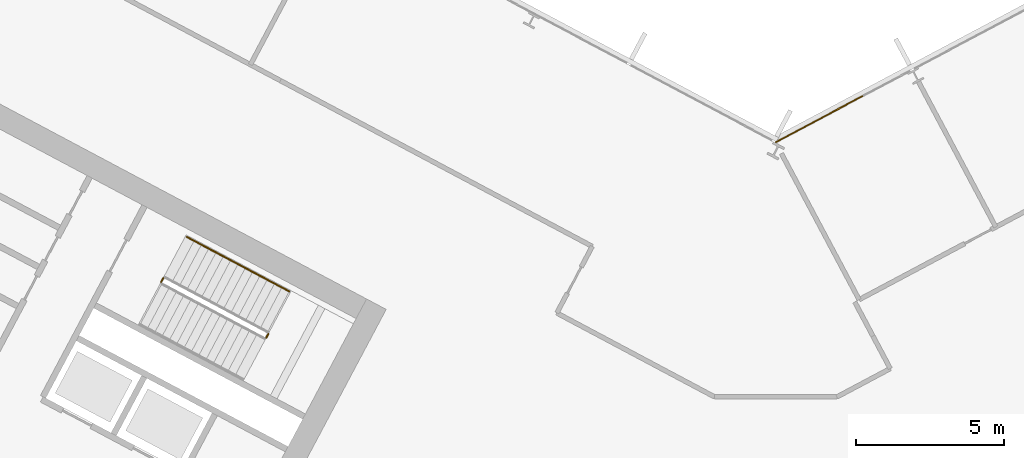
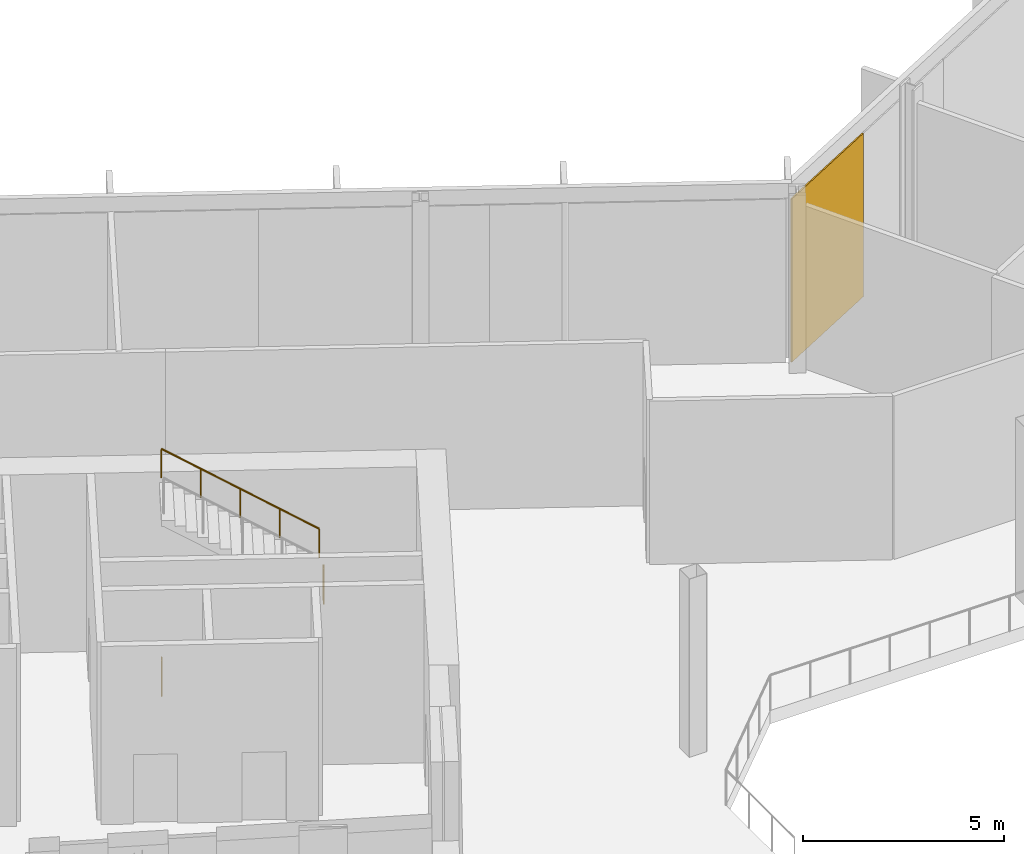
# One storey, part 25 of 31: 3 railings, 1 covering, 1 element without a shape of its own.
"""IFC4 building model written with IfcOpenShell, lengths in metres."""

import ifcopenshell
import ifcopenshell.guid

model = None  # the IFC model being written
_history = None  # IfcOwnerHistory: only IFC2X3 demands one
_inside = {}  # id of a spatial element -> (the spatial element, [elements in it])
_under = {}  # id of a project, library or spatial element -> (it, [spatial elements below it])
_declared = {}  # id of a project -> (the project, [libraries it declares])
_typed = {}  # id of a type object -> (the type object, [elements of that type])
_made_of = {}  # id of a material, layer set ... -> (it, [elements and type objects made of it])


def new_model(schema):
    """Start an empty IFC model of exactly this schema.

    Asked for "IFC4X3", IfcOpenShell would pick the latest addendum, in which some entities
    have other attributes; the version numbers below select the first issue.
    IFC2X3 requires an IfcOwnerHistory on every rooted entity: one is made here for all.
    """
    global model, _history
    if schema == "IFC4X3":
        model = ifcopenshell.file(schema_version=(4, 3, 0, 0))
    else:
        model = ifcopenshell.file(schema=schema)
    _inside.clear()
    _under.clear()
    _declared.clear()
    _typed.clear()
    _made_of.clear()
    _history = None
    if model.schema == "IFC2X3":
        org = make("IfcOrganization", Name="unknown")
        user = make(
            "IfcPersonAndOrganization",
            ThePerson=make("IfcPerson", FamilyName="unknown"),
            TheOrganization=org,
        )
        app = make(
            "IfcApplication",
            ApplicationDeveloper=org,
            Version="unknown",
            ApplicationFullName="unknown",
            ApplicationIdentifier="unknown",
        )
        _history = make(
            "IfcOwnerHistory",
            OwningUser=user,
            OwningApplication=app,
            ChangeAction="ADDED",
            CreationDate=0,
        )
    return model


def make(cls, **values):
    """One entity of the class cls with the attributes given. An attribute that is None is left unset."""
    return model.create_entity(
        cls, **{name: value for name, value in values.items() if value is not None}
    )


def rooted(cls, **values):
    """An entity with a GlobalId (a new one), such as an element, a storey or a relation."""
    return make(cls, GlobalId=ifcopenshell.guid.new(), OwnerHistory=_history, **values)


def si_unit(unit_type, name, prefix=None):
    """IfcSIUnit, for example si_unit("LENGTHUNIT", "METRE", prefix="MILLI")."""
    return make("IfcSIUnit", UnitType=unit_type, Prefix=prefix, Name=name)


def assignment(units):
    """IfcUnitAssignment: the units of a project."""
    return None if units is None else make("IfcUnitAssignment", Units=units)


def point(xyz):
    """IfcCartesianPoint."""
    return None if xyz is None else make("IfcCartesianPoint", Coordinates=xyz)


def direction(xyz):
    """IfcDirection."""
    return None if xyz is None else make("IfcDirection", DirectionRatios=xyz)


def frame(location, z_axis=None, x_axis=None):
    """IfcAxis2Placement3D, a coordinate frame: its origin and axes. An axis left out is left unset."""
    return make(
        "IfcAxis2Placement3D",
        Location=point(location),
        Axis=direction(z_axis),
        RefDirection=direction(x_axis),
    )


def frame_2d(location, x_axis=None):
    """IfcAxis2Placement2D, a coordinate frame in the plane: its origin and x axis."""
    return make(
        "IfcAxis2Placement2D", Location=point(location), RefDirection=direction(x_axis)
    )


def origin():
    """The frame at (0, 0, 0) with its axes left unset."""
    return frame((0.0, 0.0, 0.0))


def origin_2d():
    """The frame at (0, 0) in the plane with its x axis left unset."""
    return frame_2d((0.0, 0.0))


def place(relative_to, where):
    """IfcLocalPlacement: puts the frame where relative to a parent placement (None: the world)."""
    return make(
        "IfcLocalPlacement", PlacementRelTo=relative_to, RelativePlacement=where
    )


def context(
    kind, dimensions, precision=None, world=None, true_north=None, identifier=None
):
    """IfcGeometricRepresentationContext, for example the 3D "Model" context."""
    return make(
        "IfcGeometricRepresentationContext",
        ContextIdentifier=identifier,
        ContextType=kind,
        CoordinateSpaceDimension=dimensions,
        Precision=precision,
        WorldCoordinateSystem=world,
        TrueNorth=true_north,
    )


def subcontext(parent, identifier, kind, view, scale=None):
    """IfcGeometricRepresentationSubContext, for example "Body" below "Model"."""
    return make(
        "IfcGeometricRepresentationSubContext",
        ContextIdentifier=identifier,
        ContextType=kind,
        ParentContext=parent,
        TargetScale=scale,
        TargetView=view,
    )


def project(units=None, contexts=None):
    """IfcProject with its units and contexts."""
    return rooted(
        "IfcProject",
        Name="project",
        RepresentationContexts=contexts,
        UnitsInContext=assignment(units),
    )


def spatial(cls, under=None, at=None, **own):
    """A site, building, storey or space (cls), placed at a placement, below another one or the project."""
    s = rooted(cls, ObjectPlacement=at, **own)
    if under is not None:
        _under.setdefault(under.id(), (under, []))[1].append(s)
    return s


def polyline(points):
    """IfcPolyline through the points."""
    return make("IfcPolyline", Points=[point(p) for p in points])


def profile(cls, at=None, kind="AREA", **sizes):
    """A parametric profile (cls). Its sizes go by their IFC names, for example OverallWidth=200.0."""
    return make(cls, ProfileType=kind, Position=at, **sizes)


def rectangle(**sizes):
    """IfcRectangleProfileDef."""
    return profile("IfcRectangleProfileDef", **sizes)


def outline(outer, holes=None, kind="AREA"):
    """IfcArbitraryClosedProfileDef: a profile drawn as a closed curve; with holes, ...WithVoids."""
    if holes is None:
        return make("IfcArbitraryClosedProfileDef", ProfileType=kind, OuterCurve=outer)
    return make(
        "IfcArbitraryProfileDefWithVoids",
        ProfileType=kind,
        OuterCurve=outer,
        InnerCurves=holes,
    )


def extrude(swept, where, along, depth):
    """IfcExtrudedAreaSolid: the profile swept, set in the frame where, extruded along a direction by depth."""
    return make(
        "IfcExtrudedAreaSolid",
        SweptArea=swept,
        Position=where,
        ExtrudedDirection=direction(along),
        Depth=depth,
    )


def shape(context_of_items, identifier, shape_type, items):
    """IfcShapeRepresentation: the items that make up one representation, for example the "Body"."""
    return make(
        "IfcShapeRepresentation",
        ContextOfItems=context_of_items,
        RepresentationIdentifier=identifier,
        RepresentationType=shape_type,
        Items=items,
    )


def material(Name=None, Category=None):
    """IfcMaterial."""
    return make("IfcMaterial", Name=Name, Category=Category)


def layer(
    of_material, thickness, ventilated=None, Name=None, Category=None, Priority=None
):
    """IfcMaterialLayer: one layer of a wall or slab, of a material (None: an air gap)."""
    return make(
        "IfcMaterialLayer",
        Material=of_material,
        LayerThickness=thickness,
        IsVentilated=ventilated,
        Name=Name,
        Category=Category,
        Priority=Priority,
    )


def layer_set(layers, Name=None):
    """IfcMaterialLayerSet."""
    return make("IfcMaterialLayerSet", MaterialLayers=layers, LayerSetName=Name)


def made_of(thing, what):
    """Note that an element or type object is made of a material, layer set ...; save() writes the relation."""
    if what is not None:
        _made_of.setdefault(what.id(), (what, []))[1].append(thing)
    return thing


def type_object(cls, material=None, **own):
    """A type object (cls), such as IfcWallType, which elements share."""
    return made_of(rooted(cls, **own), material)


def element(
    cls,
    number,
    at=None,
    inside=None,
    cuts=None,
    type_object=None,
    material=None,
    context=None,
    identifier="Body",
    shape_type=None,
    held_by="IfcProductDefinitionShape",
    body=None,
    shapes=None,
    **own,
):
    """One element of the class cls, such as IfcWall. Its Tag is "e" and its number.

    at: its placement. inside: the storey or other place that contains it. cuts: it is an
    opening in that element (IfcRelVoidsElement). A single representation is given by context,
    identifier, shape_type and body (its items); several are given by shapes. held_by: the class
    of the entity that holds the representations. save() writes the other relations.
    """
    e = rooted(cls, Tag="e%d" % number, ObjectPlacement=at, **own)
    if body is not None:
        shapes = [shape(context, identifier, shape_type, body)]
    if shapes is not None:
        e.Representation = make(held_by, Representations=shapes)
    if inside is not None:
        _inside.setdefault(inside.id(), (inside, []))[1].append(e)
    if cuts is not None:
        rooted(
            "IfcRelVoidsElement", RelatingBuildingElement=cuts, RelatedOpeningElement=e
        )
    if type_object is not None:
        _typed.setdefault(type_object.id(), (type_object, []))[1].append(e)
    return made_of(e, material)


def aggregate(whole, parts):
    """IfcRelAggregates: a whole, such as a stair, and the parts it consists of."""
    return rooted("IfcRelAggregates", RelatingObject=whole, RelatedObjects=parts)


def save(model, path):
    """Write the relations noted so far, then the file.

    IfcRelAggregates (storeys below a building ...), IfcRelContainedInSpatialStructure (elements
    in a storey), IfcRelDefinesByType, IfcRelAssociatesMaterial and IfcRelDeclares: one each for
    every whole, place, type object, material and project.
    """
    for whole, parts in _under.values():
        aggregate(whole, parts)
    for where, things in _inside.values():
        rooted(
            "IfcRelContainedInSpatialStructure",
            RelatedElements=things,
            RelatingStructure=where,
        )
    for kind, things in _typed.values():
        rooted("IfcRelDefinesByType", RelatedObjects=things, RelatingType=kind)
    for what, things in _made_of.values():
        rooted("IfcRelAssociatesMaterial", RelatedObjects=things, RelatingMaterial=what)
    for by, libraries in _declared.values():
        rooted("IfcRelDeclares", RelatingContext=by, RelatedDefinitions=libraries)
    model.write(path)


model = new_model("IFC4")

# Units and contexts
model_context = context("Model", 3, precision=1e-05, world=origin(), true_north=direction((0.0, 1.0)))
body_context = subcontext(model_context, "Body", "Model", "MODEL_VIEW")
ifc_project = project(units=[si_unit("LENGTHUNIT", "METRE"), si_unit("AREAUNIT", "SQUARE_METRE"), si_unit("VOLUMEUNIT", "CUBIC_METRE"), si_unit("PLANEANGLEUNIT", "RADIAN"), si_unit("MASSUNIT", "GRAM", prefix="KILO")], contexts=[model_context])

# Site, building, storey
site_placement = place(None, origin())
site = spatial("IfcSite", under=ifc_project, at=site_placement, CompositionType="ELEMENT")
building_placement = place(site_placement, origin())
building = spatial("IfcBuilding", under=site, at=building_placement, Name="Cormorant Relay Tower", CompositionType="ELEMENT")
storey_placement = place(building_placement, frame((0.0, 0.0, 178.199951171875)))
storey = spatial("IfcBuildingStorey", under=building, at=storey_placement, Name="L38", CompositionType="ELEMENT", Elevation=178.199951171875)

# Curtain wall, covering
ifc_material_1 = material(Name="Aluminium 6063-T6 anodised bronze", Category="aluminium")
ifc_layer_1 = layer(ifc_material_1, 0.199951171875)
ifc_layer_set_1 = layer_set([ifc_layer_1], Name="CW1 unitised bronze curtain wall with vertical fins")
curtain_wall_type = type_object("IfcCurtainWallType", Name="CW1 unitised bronze curtain wall with vertical fins", PredefinedType="NOTDEFINED", material=ifc_layer_set_1)
curtain_wall_placement = place(storey_placement, origin())
curtain_wall = element("IfcCurtainWall", 1, at=curtain_wall_placement, inside=storey, type_object=curtain_wall_type, Name="CW1 curtain wall 8", PredefinedType="NOTDEFINED")
ifc_material_2 = material(Name="Pale bronze anodised aluminium insulated panel", Category="aluminium")
ifc_layer_2 = layer(ifc_material_2, 0.0400390625)
ifc_layer_set_2 = layer_set([ifc_layer_2], Name="CW1 pale bronze insulated panel 40")
covering_type = type_object("IfcCoveringType", Name="CW1 pale bronze insulated panel 40", PredefinedType="CLADDING", material=ifc_layer_set_2)
covering_placement = place(storey_placement, frame((1.471435546875, 24.589111328125, 0.0), z_axis=(0.0, 0.0, 1.0), x_axis=(-0.882947592859, -0.469471562786, 0.0)))
covering = element("IfcCovering", 2, at=covering_placement, type_object=covering_type, Name="CW1 panel S10", PredefinedType="CLADDING", context=body_context, shape_type="SweptSolid", body=[
    extrude(rectangle(XDim=3.354248046875, YDim=0.0400390625, at=origin_2d()), origin(), (0.0, 0.0, 1.0), 4.949951171875),
])
aggregate(curtain_wall, [covering])

# Railings
ifc_material_3 = material(Name="Steel ASTM A572 Grade 50 (Fy 345 MPa)", Category="steel")
railing_type_1 = type_object("IfcRailingType", Name="Stair guard 1100", PredefinedType="GUARDRAIL", material=ifc_material_3)
railing_1_placement = place(storey_placement, frame((-17.2216796875, 17.1982421875, 2.699951171875)))
element("IfcRailing", 3, at=railing_1_placement, inside=storey, type_object=railing_type_1, Name="L38 A1 stair guard 2", PredefinedType="GUARDRAIL", context=body_context, shape_type="SweptSolid", body=[
    extrude(outline(polyline([(0.022216796875, 0.00927734375), (0.00927734375, 0.022216796875), (-0.00927734375, 0.022216796875), (-0.022216796875, 0.00927734375), (-0.022216796875, -0.00927734375), (-0.00927734375, -0.022216796875), (0.00927734375, -0.022216796875), (0.022216796875, -0.00927734375), (0.022216796875, 0.00927734375)])), frame((0.0, 0.0, 1.076171875), z_axis=(0.469234640946, 0.883073525669, 0.0), x_axis=(-0.883073525669, 0.469234640946, 0.0)), (0.0, 0.0, 1.0), 0.14990234375),
    extrude(outline(polyline([(0.019287109375, 0.008056640625), (0.008056640625, 0.019287109375), (-0.008056640625, 0.019287109375), (-0.019287109375, 0.008056640625), (-0.019287109375, -0.008056640625), (-0.008056640625, -0.019287109375), (0.008056640625, -0.019287109375), (0.019287109375, -0.008056640625), (0.019287109375, 0.008056640625)])), origin(), (0.0, 0.0, 1.0), 1.052001953125),
    extrude(outline(polyline([(0.019287109375, 0.008056640625), (0.008056640625, 0.019287109375), (-0.008056640625, 0.019287109375), (-0.019287109375, 0.008056640625), (-0.019287109375, -0.008056640625), (-0.008056640625, -0.019287109375), (0.008056640625, -0.019287109375), (0.019287109375, -0.008056640625), (0.019287109375, 0.008056640625)])), frame((0.0703125, 0.13232421875, 0.0)), (0.0, 0.0, 1.0), 1.052001953125),
])
railing_2_placement = place(storey_placement, frame((-20.771240234375, 19.08544921875, 0.0)))
element("IfcRailing", 4, at=railing_2_placement, inside=storey, type_object=railing_type_1, Name="L38 A1 stair guard 4", PredefinedType="GUARDRAIL", context=body_context, shape_type="SweptSolid", body=[
    extrude(outline(polyline([(0.022216796875, 0.00927734375), (0.00927734375, 0.022216796875), (-0.00927734375, 0.022216796875), (-0.022216796875, 0.00927734375), (-0.022216796875, -0.00927734375), (-0.00927734375, -0.022216796875), (0.00927734375, -0.022216796875), (0.022216796875, -0.00927734375), (0.022216796875, 0.00927734375)])), frame((0.0, 0.0, 1.076171875), z_axis=(0.469828648786, 0.882757634224, 0.0), x_axis=(-0.882757634224, 0.469828648786, 0.0)), (0.0, 0.0, 1.0), 0.150146484375),
    extrude(outline(polyline([(0.019287109375, 0.008056640625), (0.008056640625, 0.019287109375), (-0.008056640625, 0.019287109375), (-0.019287109375, 0.008056640625), (-0.019287109375, -0.008056640625), (-0.008056640625, -0.019287109375), (0.008056640625, -0.019287109375), (0.019287109375, -0.008056640625), (0.019287109375, 0.008056640625)])), origin(), (0.0, 0.0, 1.0), 1.052001953125),
    extrude(outline(polyline([(0.019287109375, 0.008056640625), (0.008056640625, 0.019287109375), (-0.008056640625, 0.019287109375), (-0.019287109375, 0.008056640625), (-0.019287109375, -0.008056640625), (-0.008056640625, -0.019287109375), (0.008056640625, -0.019287109375), (0.019287109375, -0.008056640625), (0.019287109375, 0.008056640625)])), frame((0.070556640625, 0.132568359375, 0.0)), (0.0, 0.0, 1.0), 1.052001953125),
])
ifc_material_4 = material(Name="Steel ASTM A572 Grade 50 (Fy 345 MPa)", Category="steel")
railing_type_2 = type_object("IfcRailingType", Name="Stair handrail 900", PredefinedType="HANDRAIL", material=ifc_material_4)
railing_3_placement = place(storey_placement, frame((-16.4443359375, 18.766845703125, 2.880126953125)))
element("IfcRailing", 5, at=railing_3_placement, inside=storey, type_object=railing_type_2, Name="L38 A1 stair handrail 2", PredefinedType="HANDRAIL", context=body_context, shape_type="SweptSolid", body=[
    extrude(outline(polyline([(0.022216796875, 0.00927734375), (0.00927734375, 0.022216796875), (-0.00927734375, 0.022216796875), (-0.022216796875, 0.00927734375), (-0.022216796875, -0.00927734375), (-0.00927734375, -0.022216796875), (0.00927734375, -0.022216796875), (0.022216796875, -0.00927734375), (0.022216796875, 0.00927734375)])), frame((0.0, 0.0, 0.8759765625), z_axis=(-0.74271721126, 0.394907409077, 0.540758062681), x_axis=(-0.469469396681, -0.882948744594, 0.0)), (0.0, 0.0, 1.0), 4.66015625),
    extrude(outline(polyline([(0.019287109375, 0.008056640625), (0.008056640625, 0.019287109375), (-0.008056640625, 0.019287109375), (-0.019287109375, 0.008056640625), (-0.019287109375, -0.008056640625), (-0.008056640625, -0.019287109375), (0.008056640625, -0.019287109375), (0.019287109375, -0.008056640625), (0.019287109375, 0.008056640625)])), origin(), (0.0, 0.0, 1.0), 0.851806640625),
    extrude(outline(polyline([(0.019287109375, 0.008056640625), (0.008056640625, 0.019287109375), (-0.008056640625, 0.019287109375), (-0.019287109375, 0.008056640625), (-0.019287109375, -0.008056640625), (-0.008056640625, -0.019287109375), (0.008056640625, -0.019287109375), (0.019287109375, -0.008056640625), (0.019287109375, 0.008056640625)])), frame((-0.865234375, 0.4599609375, 0.6298828125)), (0.0, 0.0, 1.0), 0.851806640625),
    extrude(outline(polyline([(0.019287109375, 0.008056640625), (0.008056640625, 0.019287109375), (-0.008056640625, 0.019287109375), (-0.019287109375, 0.008056640625), (-0.019287109375, -0.008056640625), (-0.008056640625, -0.019287109375), (0.008056640625, -0.019287109375), (0.019287109375, -0.008056640625), (0.019287109375, 0.008056640625)])), frame((-1.73046875, 0.920166015625, 1.260009765625)), (0.0, 0.0, 1.0), 0.851806640625),
    extrude(outline(polyline([(0.019287109375, 0.008056640625), (0.008056640625, 0.019287109375), (-0.008056640625, 0.019287109375), (-0.019287109375, 0.008056640625), (-0.019287109375, -0.008056640625), (-0.008056640625, -0.019287109375), (0.008056640625, -0.019287109375), (0.019287109375, -0.008056640625), (0.019287109375, 0.008056640625)])), frame((-2.595947265625, 1.38037109375, 1.89013671875)), (0.0, 0.0, 1.0), 0.851806640625),
    extrude(outline(polyline([(0.019287109375, 0.008056640625), (0.008056640625, 0.019287109375), (-0.008056640625, 0.019287109375), (-0.019287109375, 0.008056640625), (-0.019287109375, -0.008056640625), (-0.008056640625, -0.019287109375), (0.008056640625, -0.019287109375), (0.019287109375, -0.008056640625), (0.019287109375, 0.008056640625)])), frame((-3.461181640625, 1.84033203125, 2.52001953125)), (0.0, 0.0, 1.0), 0.851806640625),
])

save(model, "model.ifc")
